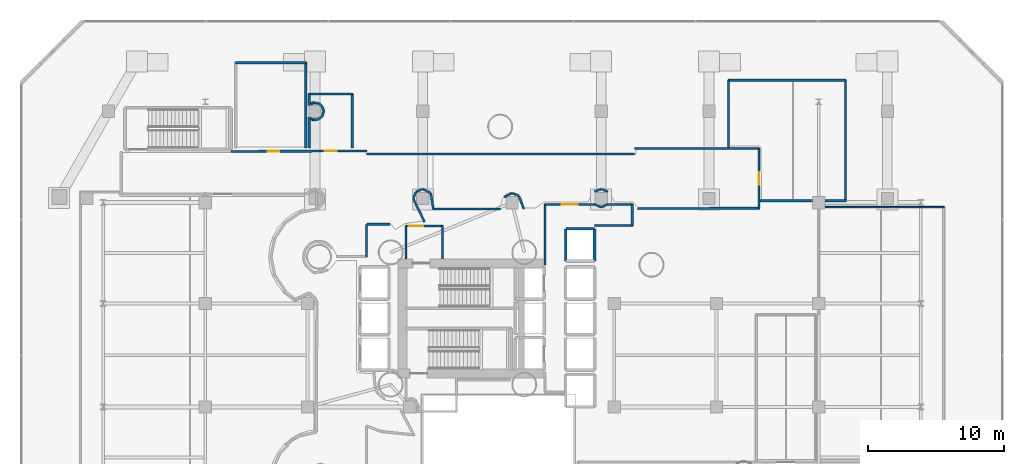
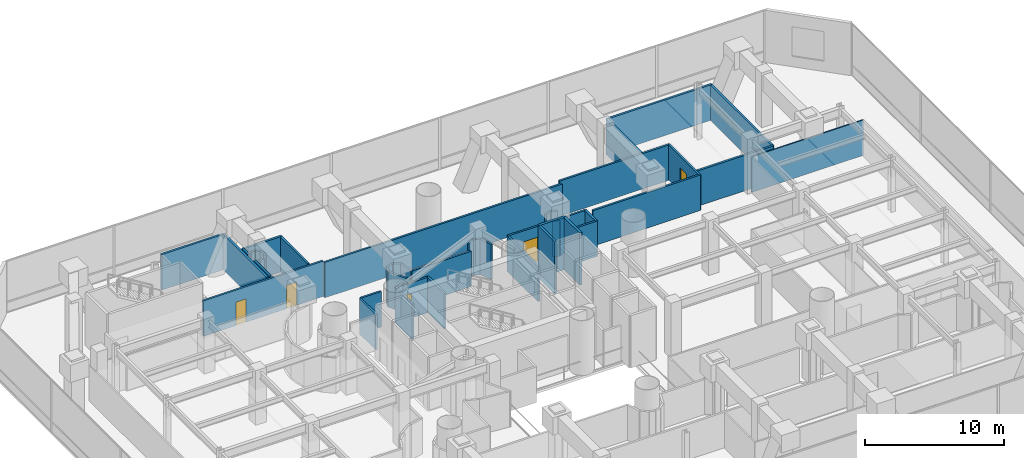
# One storey, part 34 of 45: 50 walls, 5 doors, 5 openings.
"""IFC4 building model written with IfcOpenShell, lengths in metres."""

from ifc_helpers import new_model, si_unit, direction, frame, frame_2d, origin, place, context, subcontext, project, spatial, rectangle, extrude, material, layer, layer_set, type_object, element, fill, save


model = new_model("IFC4")

# Units and contexts
model_context = context("Model", 3, precision=1e-05, world=origin(), true_north=direction((0.0, 1.0)))
body_context = subcontext(model_context, "Body", "Model", "MODEL_VIEW")
ifc_project = project(units=[si_unit("LENGTHUNIT", "METRE"), si_unit("AREAUNIT", "SQUARE_METRE"), si_unit("VOLUMEUNIT", "CUBIC_METRE"), si_unit("PLANEANGLEUNIT", "RADIAN"), si_unit("MASSUNIT", "GRAM", prefix="KILO")], contexts=[model_context])

# Site, building, storey
site_placement = place(None, origin())
site = spatial("IfcSite", under=ifc_project, at=site_placement, CompositionType="ELEMENT")
building_placement = place(site_placement, origin())
building = spatial("IfcBuilding", under=site, at=building_placement, Name="Qianvela Tower", CompositionType="ELEMENT")
storey_placement = place(building_placement, frame((0.0, 0.0, 11.0)))
storey = spatial("IfcBuildingStorey", under=building, at=storey_placement, Name="L02", CompositionType="ELEMENT", Elevation=11.0)

# Wall
ifc_material_1 = material(Name="Fire-Rated Gypsum and Concrete Block", Category="concrete")
ifc_layer_1 = layer(ifc_material_1, 0.159912109375)
ifc_layer_set_1 = layer_set([ifc_layer_1], Name="Fire-Rated Gypsum and Concrete Block")
wall_type_1 = type_object("IfcWallType", Name="WT-CORR-160", PredefinedType="PARTITIONING", material=ifc_layer_set_1)
wall_1_placement = place(storey_placement, frame((29.73095703125, 33.05810546875, 0.0), z_axis=(0.0, 0.0, 1.0), x_axis=(0.0, 1.0, 0.0)))
element("IfcWall", 1, at=wall_1_placement, inside=storey, type_object=wall_type_1, Name="L02 Partition 2", PredefinedType="PARTITIONING", context=body_context, shape_type="SweptSolid", body=[
    extrude(rectangle(XDim=2.4619140625, YDim=0.159912109375, at=frame_2d((1.23095703125, 0.0))), origin(), (0.0, 0.0, 1.0), 3.10009765625),
])

# Wall, opening, door
wall_2_placement = place(storey_placement, frame((29.699951171875, 35.489013671875, 0.0), z_axis=(0.0, 0.0, 1.0), x_axis=(1.0, 0.0, 0.0)))
wall_2 = element("IfcWall", 2, at=wall_2_placement, inside=storey, type_object=wall_type_1, Name="L02 Partition 3", PredefinedType="PARTITIONING", context=body_context, shape_type="SweptSolid", body=[
    extrude(rectangle(XDim=2.719970703125, YDim=0.159912109375, at=frame_2d((1.35986328125, 0.0))), origin(), (0.0, 0.0, 1.0), 3.10009765625),
])
opening_1_placement = place(wall_2_placement, frame((0.22998046875, 0.0, 0.0)))
opening_1 = element("IfcOpeningElement", 3, at=opening_1_placement, cuts=wall_2, Name="Opening D-PL1", PredefinedType="OPENING", context=body_context, shape_type="SweptSolid", body=[
    extrude(rectangle(XDim=1.050048828125, YDim=2.14990234375, at=frame_2d((0.52490234375, 1.074951171875))), frame((0.0, 0.08984375, 0.0), z_axis=(0.0, -1.0, 0.0), x_axis=(1.0, 0.0, 0.0)), (0.0, 0.0, 1.0), 0.179931640625),
])
ifc_material_2 = material(Name="Insulated Steel Fire Door Q355B", Category="steel")
door_type_1 = type_object("IfcDoorType", Name="DT-PLANT-FD90", OperationType="NOTDEFINED", PredefinedType="DOOR", material=ifc_material_2)
door_1_placement = place(opening_1_placement, origin())
door_1 = element("IfcDoor", 4, at=door_1_placement, inside=storey, type_object=door_type_1, Name="L02 Door L02 Firefighting Lobby North to L02 Concourse Gallery Corridor", OperationType="SINGLE_SWING_LEFT", OverallHeight=2.14990234375, OverallWidth=1.050048828125, PredefinedType="DOOR", context=body_context, shape_type="SweptSolid", body=[
    extrude(rectangle(XDim=1.050048828125, YDim=2.14990234375, at=frame_2d((0.52490234375, 1.074951171875))), frame((0.0, 0.02490234375, 0.0), z_axis=(0.0, -1.0, 0.0), x_axis=(1.0, 0.0, 0.0)), (0.0, 0.0, 1.0), 0.050048828125),
])
fill(opening_1, door_1)

# Walls
wall_3_placement = place(storey_placement, frame((32.388916015625, 35.52001953125, 0.0), z_axis=(0.0, 0.0, 1.0), x_axis=(0.0, -1.0, 0.0)))
element("IfcWall", 5, at=wall_3_placement, inside=storey, type_object=wall_type_1, Name="L02 Partition 4", PredefinedType="PARTITIONING", context=body_context, shape_type="SweptSolid", body=[
    extrude(rectangle(XDim=2.4619140625, YDim=0.159912109375, at=frame_2d((1.23095703125, 0.0))), origin(), (0.0, 0.0, 1.0), 3.10009765625),
])
wall_4_placement = place(storey_placement, frame((39.910888671875, 32.639892578125, 0.0), z_axis=(0.0, 0.0, 1.0), x_axis=(0.0, 1.0, 0.0)))
element("IfcWall", 6, at=wall_4_placement, inside=storey, type_object=wall_type_1, Name="L02 Partition 14", PredefinedType="PARTITIONING", context=body_context, shape_type="SweptSolid", body=[
    extrude(rectangle(XDim=4.460205078125, YDim=0.159912109375, at=frame_2d((2.22998046875, 0.0))), origin(), (0.0, 0.0, 1.0), 3.10009765625),
])

# Wall, opening, door
wall_5_placement = place(storey_placement, frame((39.8798828125, 37.069091796875, 0.0), z_axis=(0.0, 0.0, 1.0), x_axis=(1.0, 0.0, 0.0)))
wall_5 = element("IfcWall", 7, at=wall_5_placement, inside=storey, type_object=wall_type_1, Name="L02 Partition 15", PredefinedType="PARTITIONING", context=body_context, shape_type="SweptSolid", body=[
    extrude(rectangle(XDim=3.70751953125, YDim=0.159912109375, at=frame_2d((1.853759765625, 0.0))), origin(), (0.0, 0.0, 1.0), 3.10009765625),
])
opening_2_placement = place(wall_5_placement, frame((1.253662109375, 0.0, 0.0)))
opening_2 = element("IfcOpeningElement", 8, at=opening_2_placement, cuts=wall_5, Name="Opening D-LB1", PredefinedType="OPENING", context=body_context, shape_type="SweptSolid", body=[
    extrude(rectangle(XDim=1.199951171875, YDim=2.14990234375, at=frame_2d((0.60009765625, 1.074951171875))), frame((0.0, 0.08984375, 0.0), z_axis=(0.0, -1.0, 0.0), x_axis=(1.0, 0.0, 0.0)), (0.0, 0.0, 1.0), 0.179931640625),
])
ifc_material_3 = material(Name="Glazed Fire-Rated Steel Frame", Category="steel")
door_type_2 = type_object("IfcDoorType", Name="DT-LOBBY-FD90", OperationType="NOTDEFINED", PredefinedType="DOOR", material=ifc_material_3)
door_2_placement = place(opening_2_placement, origin())
door_2 = element("IfcDoor", 9, at=door_2_placement, inside=storey, type_object=door_type_2, Name="L02 Door L02 Lift Lobby to L02 Concourse Gallery Corridor", OperationType="SINGLE_SWING_LEFT", OverallHeight=2.14990234375, OverallWidth=1.199951171875, PredefinedType="DOOR", context=body_context, shape_type="SweptSolid", body=[
    extrude(rectangle(XDim=1.199951171875, YDim=2.14990234375, at=frame_2d((0.60009765625, 1.074951171875))), frame((0.0, 0.02490234375, 0.0), z_axis=(0.0, -1.0, 0.0), x_axis=(1.0, 0.0, 0.0)), (0.0, 0.0, 1.0), 0.050048828125),
])
fill(opening_2, door_2)

# Walls
for number, where, z_axis, x_axis, name in (
    (10, (43.57470703125, 37.07177734375, 0.0), (0.0, 0.0, 1.0), (0.908696751383, -0.417456840913, 0.0), "L02 Partition 16"),
    (11, (44.0576171875, 36.86181640625, 0.0), (0.0, 0.0, 1.0), (0.908696751383, 0.417456840913, 0.0), "L02 Partition 17"),
):
    element("IfcWall", number, at=place(storey_placement, frame(where, z_axis=z_axis, x_axis=x_axis)), inside=storey, type_object=wall_type_1, Name=name, PredefinedType="PARTITIONING", context=body_context, shape_type="SweptSolid", body=[
        extrude(rectangle(XDim=0.5029296875, YDim=0.159912109375, at=frame_2d((0.25146484375, 0.0))), origin(), (0.0, 0.0, 1.0), 3.10009765625),
    ])
wall_6_placement = place(storey_placement, frame((44.501708984375, 37.069091796875, 0.0), z_axis=(0.0, 0.0, 1.0), x_axis=(1.0, 0.0, 0.0)))
element("IfcWall", 12, at=wall_6_placement, inside=storey, type_object=wall_type_1, Name="L02 Partition 18", PredefinedType="PARTITIONING", context=body_context, shape_type="SweptSolid", body=[
    extrude(rectangle(XDim=1.8583984375, YDim=0.159912109375, at=frame_2d((0.92919921875, 0.0))), origin(), (0.0, 0.0, 1.0), 3.10009765625),
])
wall_7_placement = place(storey_placement, frame((46.3291015625, 37.10009765625, 0.0), z_axis=(0.0, 0.0, 1.0), x_axis=(0.0, -1.0, 0.0)))
element("IfcWall", 13, at=wall_7_placement, inside=storey, type_object=wall_type_1, Name="L02 Partition 19", PredefinedType="PARTITIONING", context=body_context, shape_type="SweptSolid", body=[
    extrude(rectangle(XDim=1.6201171875, YDim=0.159912109375, at=frame_2d((0.81005859375, 0.0))), origin(), (0.0, 0.0, 1.0), 3.10009765625),
])
wall_8_placement = place(storey_placement, frame((46.360107421875, 35.510986328125, 0.0), z_axis=(0.0, 0.0, 1.0), x_axis=(-1.0, 0.0, 0.0)))
element("IfcWall", 14, at=wall_8_placement, inside=storey, type_object=wall_type_1, Name="L02 Partition 20 seg 1", PredefinedType="PARTITIONING", context=body_context, shape_type="SweptSolid", body=[
    extrude(rectangle(XDim=2.81005859375, YDim=0.159912109375, at=frame_2d((1.405029296875, 0.0))), origin(), (0.0, 0.0, 1.0), 3.10009765625),
])

# Wall, openings, doors
wall_9_placement = place(storey_placement, frame((16.89990234375, 40.955810546875, 0.0), z_axis=(0.0, 0.0, 1.0), x_axis=(0.999994432489, 0.003336913407, 0.0)))
wall_9 = element("IfcWall", 15, at=wall_9_placement, inside=storey, type_object=wall_type_1, Name="L02 Partition 115 seg 2", PredefinedType="PARTITIONING", context=body_context, shape_type="SweptSolid", body=[
    extrude(rectangle(XDim=9.9501953125, YDim=0.159912109375, at=frame_2d((4.97509765625, 0.0))), origin(), (0.0, 0.0, 1.0), 3.10009765625),
])
opening_3_placement = place(wall_9_placement, frame((6.87255859375, 0.0, 0.0)))
opening_3 = element("IfcOpeningElement", 16, at=opening_3_placement, cuts=wall_9, Name="Opening D-WC1", PredefinedType="OPENING", context=body_context, shape_type="SweptSolid", body=[
    extrude(rectangle(XDim=0.860107421875, YDim=2.050048828125, at=frame_2d((0.43017578125, 1.02490234375))), frame((0.0, 0.08984375, 0.0), z_axis=(0.0, -1.0, 0.0), x_axis=(1.0, 0.0, 0.0)), (0.0, 0.0, 1.0), 0.179931640625),
])
opening_4_placement = place(wall_9_placement, frame((2.677734375, 0.0, 0.0)))
opening_4 = element("IfcOpeningElement", 17, at=opening_4_placement, cuts=wall_9, Name="Opening D-WC1", PredefinedType="OPENING", context=body_context, shape_type="SweptSolid", body=[
    extrude(rectangle(XDim=0.860107421875, YDim=2.050048828125, at=frame_2d((0.43017578125, 1.02490234375))), frame((0.0, 0.08984375, 0.0), z_axis=(0.0, -1.0, 0.0), x_axis=(1.0, 0.0, 0.0)), (0.0, 0.0, 1.0), 0.179931640625),
])
ifc_material_4 = material(Name="Moisture-Sealed Acoustic Timber Door", Category="wood")
door_type_3 = type_object("IfcDoorType", Name="DT-WC-860", OperationType="NOTDEFINED", PredefinedType="DOOR", material=ifc_material_4)
door_3_placement = place(opening_3_placement, origin())
door_3 = element("IfcDoor", 18, at=door_3_placement, inside=storey, type_object=door_type_3, Name="L02 Door L02 Accessible WC to L02 Concourse Gallery Corridor", OperationType="SINGLE_SWING_RIGHT", OverallHeight=2.050048828125, OverallWidth=0.860107421875, PredefinedType="DOOR", context=body_context, shape_type="SweptSolid", body=[
    extrude(rectangle(XDim=0.860107421875, YDim=2.050048828125, at=frame_2d((0.43017578125, 1.02490234375))), frame((0.0, 0.02490234375, 0.0), z_axis=(0.0, -1.0, 0.0), x_axis=(1.0, 0.0, 0.0)), (0.0, 0.0, 1.0), 0.050048828125),
])
fill(opening_3, door_3)
door_4_placement = place(opening_4_placement, origin())
door_4 = element("IfcDoor", 19, at=door_4_placement, inside=storey, type_object=door_type_3, Name="L02 Door L02 Public Washrooms to L02 Concourse Gallery Corridor", OperationType="SINGLE_SWING_RIGHT", OverallHeight=2.050048828125, OverallWidth=0.860107421875, PredefinedType="DOOR", context=body_context, shape_type="SweptSolid", body=[
    extrude(rectangle(XDim=0.860107421875, YDim=2.050048828125, at=frame_2d((0.43017578125, 1.02490234375))), frame((0.0, 0.02490234375, 0.0), z_axis=(0.0, -1.0, 0.0), x_axis=(1.0, 0.0, 0.0)), (0.0, 0.0, 1.0), 0.050048828125),
])
fill(opening_4, door_4)

# Walls
wall_10_placement = place(storey_placement, frame((26.85009765625, 40.76904296875, 0.0), z_axis=(0.0, 0.0, 1.0), x_axis=(1.0, 0.0, 0.0)))
element("IfcWall", 20, at=wall_10_placement, inside=storey, type_object=wall_type_1, Name="L02 Partition 116", PredefinedType="PARTITIONING", context=body_context, shape_type="SweptSolid", body=[
    extrude(rectangle(XDim=19.64990234375, YDim=0.159912109375, at=frame_2d((9.824951171875, 0.0))), origin(), (0.0, 0.0, 1.0), 3.10009765625),
])
wall_11_placement = place(storey_placement, frame((46.5, 41.1689453125, 0.0), z_axis=(0.0, 0.0, 1.0), x_axis=(1.0, 0.0, 0.0)))
element("IfcWall", 21, at=wall_11_placement, inside=storey, type_object=wall_type_1, Name="L02 Partition 117", PredefinedType="PARTITIONING", context=body_context, shape_type="SweptSolid", body=[
    extrude(rectangle(XDim=9.14990234375, YDim=0.159912109375, at=frame_2d((4.574951171875, 0.0))), origin(), (0.0, 0.0, 1.0), 3.10009765625),
])

# Wall, opening, door
wall_12_placement = place(storey_placement, frame((55.618896484375, 41.199951171875, 0.0), z_axis=(0.0, 0.0, 1.0), x_axis=(0.0, -1.0, 0.0)))
wall_12 = element("IfcWall", 22, at=wall_12_placement, inside=storey, type_object=wall_type_1, Name="L02 Partition 118", PredefinedType="PARTITIONING", context=body_context, shape_type="SweptSolid", body=[
    extrude(rectangle(XDim=4.441650390625, YDim=0.159912109375, at=frame_2d((2.220703125, 0.0))), origin(), (0.0, 0.0, 1.0), 3.10009765625),
])
opening_5_placement = place(wall_12_placement, frame((1.770751953125, 0.0, 0.0)))
opening_5 = element("IfcOpeningElement", 23, at=opening_5_placement, cuts=wall_12, Name="Opening D-KT1", PredefinedType="OPENING", context=body_context, shape_type="SweptSolid", body=[
    extrude(rectangle(XDim=0.89990234375, YDim=2.10009765625, at=frame_2d((0.449951171875, 1.050048828125))), frame((0.0, 0.08984375, 0.0), z_axis=(0.0, -1.0, 0.0), x_axis=(1.0, 0.0, 0.0)), (0.0, 0.0, 1.0), 0.179931640625),
])
ifc_material_5 = material(Name="Glazed Timber Kitchen Door", Category="wood")
door_type_4 = type_object("IfcDoorType", Name="DT-KITCH-900", OperationType="NOTDEFINED", PredefinedType="DOOR", material=ifc_material_5)
door_5_placement = place(opening_5_placement, origin())
door_5 = element("IfcDoor", 24, at=door_5_placement, inside=storey, type_object=door_type_4, Name="L02 Door L02 Shared Student Tea Pantry to L02 Concourse Gallery Corridor", OperationType="SINGLE_SWING_RIGHT", OverallHeight=2.10009765625, OverallWidth=0.89990234375, PredefinedType="DOOR", context=body_context, shape_type="SweptSolid", body=[
    extrude(rectangle(XDim=0.89990234375, YDim=2.10009765625, at=frame_2d((0.449951171875, 1.050048828125))), frame((0.0, 0.02490234375, 0.0), z_axis=(0.0, -1.0, 0.0), x_axis=(1.0, 0.0, 0.0)), (0.0, 0.0, 1.0), 0.050048828125),
])
fill(opening_5, door_5)

# Walls
wall_13_placement = place(storey_placement, frame((55.64990234375, 36.789306640625, 0.0), z_axis=(0.0, 0.0, 1.0), x_axis=(-0.999996901459, -0.002489391821, 0.0)))
element("IfcWall", 25, at=wall_13_placement, inside=storey, type_object=wall_type_1, Name="L02 Partition 119", PredefinedType="PARTITIONING", context=body_context, shape_type="SweptSolid", body=[
    extrude(rectangle(XDim=8.924560546875, YDim=0.159912109375, at=frame_2d((4.46240234375, 0.0))), origin(), (0.0, 0.0, 1.0), 3.10009765625),
])
wall_14_placement = place(storey_placement, frame((44.5302734375, 38.00244140625, 0.0), z_axis=(0.0, 0.0, 1.0), x_axis=(-0.924045828763, 0.382281710714, 0.0)))
element("IfcWall", 26, at=wall_14_placement, inside=storey, type_object=wall_type_1, Name="L02 Partition 122", PredefinedType="PARTITIONING", context=body_context, shape_type="SweptSolid", body=[
    extrude(rectangle(XDim=0.512939453125, YDim=0.159912109375, at=frame_2d((0.25634765625, 0.0))), origin(), (0.0, 0.0, 1.0), 3.10009765625),
])
wall_15_placement = place(storey_placement, frame((44.03271484375, 38.198486328125, 0.0), z_axis=(0.0, 0.0, 1.0), x_axis=(-0.923976210744, -0.382449947024, 0.0)))
element("IfcWall", 27, at=wall_15_placement, inside=storey, type_object=wall_type_1, Name="L02 Partition 123", PredefinedType="PARTITIONING", context=body_context, shape_type="SweptSolid", body=[
    extrude(rectangle(XDim=0.5126953125, YDim=0.159912109375, at=frame_2d((0.25634765625, 0.0))), origin(), (0.0, 0.0, 1.0), 3.10009765625),
])
wall_16_placement = place(storey_placement, frame((38.372802734375, 36.726318359375, 0.0), z_axis=(0.0, 0.0, 1.0), x_axis=(-0.360220716068, 0.932867105067, 0.0)))
element("IfcWall", 28, at=wall_16_placement, inside=storey, type_object=wall_type_1, Name="L02 Partition 128", PredefinedType="PARTITIONING", context=body_context, shape_type="SweptSolid", body=[
    extrude(rectangle(XDim=1.027587890625, YDim=0.159912109375, at=frame_2d((0.513671875, 0.0))), origin(), (0.0, 0.0, 1.0), 3.10009765625),
])
wall_17_placement = place(storey_placement, frame((37.985595703125, 37.702392578125, 0.0), z_axis=(0.0, 0.0, 1.0), x_axis=(-0.923807847969, 0.382856448334, 0.0)))
element("IfcWall", 29, at=wall_17_placement, inside=storey, type_object=wall_type_1, Name="L02 Partition 129", PredefinedType="PARTITIONING", context=body_context, shape_type="SweptSolid", body=[
    extrude(rectangle(XDim=0.5126953125, YDim=0.159912109375, at=frame_2d((0.25634765625, 0.0))), origin(), (0.0, 0.0, 1.0), 3.10009765625),
])
wall_18_placement = place(storey_placement, frame((37.4853515625, 37.897216796875, 0.0), z_axis=(0.0, 0.0, 1.0), x_axis=(-0.882042462076, -0.471169921679, 0.0)))
element("IfcWall", 30, at=wall_18_placement, inside=storey, type_object=wall_type_1, Name="L02 Partition 130", PredefinedType="PARTITIONING", context=body_context, shape_type="SweptSolid", body=[
    extrude(rectangle(XDim=0.631591796875, YDim=0.159912109375, at=frame_2d((0.31591796875, 0.0))), origin(), (0.0, 0.0, 1.0), 3.10009765625),
])
wall_19_placement = place(storey_placement, frame((36.65478515625, 36.741943359375, 0.0), z_axis=(0.0, 0.0, 1.0), x_axis=(-0.999996836988, -0.00251515701, 0.0)))
element("IfcWall", 31, at=wall_19_placement, inside=storey, type_object=wall_type_1, Name="L02 Partition 132", PredefinedType="PARTITIONING", context=body_context, shape_type="SweptSolid", body=[
    extrude(rectangle(XDim=4.950439453125, YDim=0.159912109375, at=frame_2d((2.47509765625, 0.0))), origin(), (0.0, 0.0, 1.0), 3.10009765625),
])
wall_20_placement = place(storey_placement, frame((31.73486328125, 36.70361328125, 0.0), z_axis=(0.0, 0.0, 1.0), x_axis=(-0.161168629771, 0.986926883197, 0.0)))
element("IfcWall", 32, at=wall_20_placement, inside=storey, type_object=wall_type_1, Name="L02 Partition 133", PredefinedType="PARTITIONING", context=body_context, shape_type="SweptSolid", body=[
    extrude(rectangle(XDim=1.189208984375, YDim=0.159912109375, at=frame_2d((0.5947265625, 0.0))), origin(), (0.0, 0.0, 1.0), 3.10009765625),
])
wall_21_placement = place(storey_placement, frame((31.527099609375, 37.899658203125, 0.0), z_axis=(0.0, 0.0, 1.0), x_axis=(-0.882042462076, 0.471169921679, 0.0)))
element("IfcWall", 33, at=wall_21_placement, inside=storey, type_object=wall_type_1, Name="L02 Partition 134", PredefinedType="PARTITIONING", context=body_context, shape_type="SweptSolid", body=[
    extrude(rectangle(XDim=0.631591796875, YDim=0.159912109375, at=frame_2d((0.31591796875, 0.0))), origin(), (0.0, 0.0, 1.0), 3.10009765625),
])
wall_22_placement = place(storey_placement, frame((30.943603515625, 38.198486328125, 0.0), z_axis=(0.0, 0.0, 1.0), x_axis=(-0.924045828763, -0.382281710714, 0.0)))
element("IfcWall", 34, at=wall_22_placement, inside=storey, type_object=wall_type_1, Name="L02 Partition 135", PredefinedType="PARTITIONING", context=body_context, shape_type="SweptSolid", body=[
    extrude(rectangle(XDim=0.512939453125, YDim=0.159912109375, at=frame_2d((0.25634765625, 0.0))), origin(), (0.0, 0.0, 1.0), 3.10009765625),
])
wall_23_placement = place(storey_placement, frame((30.452880859375, 37.985595703125, 0.0), z_axis=(0.0, 0.0, 1.0), x_axis=(-0.382449947024, -0.923976210744, 0.0)))
element("IfcWall", 35, at=wall_23_placement, inside=storey, type_object=wall_type_1, Name="L02 Partition 136", PredefinedType="PARTITIONING", context=body_context, shape_type="SweptSolid", body=[
    extrude(rectangle(XDim=0.5126953125, YDim=0.159912109375, at=frame_2d((0.25634765625, 0.0))), origin(), (0.0, 0.0, 1.0), 3.10009765625),
])
wall_24_placement = place(storey_placement, frame((30.257568359375, 37.486572265625, 0.0), z_axis=(0.0, 0.0, 1.0), x_axis=(0.435698821732, -0.900092515657, 0.0)))
element("IfcWall", 36, at=wall_24_placement, inside=storey, type_object=wall_type_1, Name="L02 Partition 137", PredefinedType="PARTITIONING", context=body_context, shape_type="SweptSolid", body=[
    extrude(rectangle(XDim=1.897216796875, YDim=0.159912109375, at=frame_2d((0.94873046875, 0.0))), origin(), (0.0, 0.0, 1.0), 3.10009765625),
])
wall_25_placement = place(storey_placement, frame((28.5400390625, 35.611083984375, 0.0), z_axis=(0.0, 0.0, 1.0), x_axis=(-1.0, 0.0, 0.0)))
element("IfcWall", 37, at=wall_25_placement, inside=storey, type_object=wall_type_1, Name="L02 Partition 140", PredefinedType="PARTITIONING", context=body_context, shape_type="SweptSolid", body=[
    extrude(rectangle(XDim=1.68994140625, YDim=0.159912109375, at=frame_2d((0.844970703125, 0.0))), origin(), (0.0, 0.0, 1.0), 3.10009765625),
])
wall_26_placement = place(storey_placement, frame((26.819091796875, 35.580078125, 0.0), z_axis=(0.0, 0.0, 1.0), x_axis=(0.0, -1.0, 0.0)))
element("IfcWall", 38, at=wall_26_placement, inside=storey, type_object=wall_type_1, Name="L02 Partition 141", PredefinedType="PARTITIONING", context=body_context, shape_type="SweptSolid", body=[
    extrude(rectangle(XDim=2.362548828125, YDim=0.159912109375, at=frame_2d((1.18115234375, 0.0))), origin(), (0.0, 0.0, 1.0), 3.10009765625),
])
ifc_material_6 = material(Name="Lightweight Gypsum Room Partition")
ifc_layer_2 = layer(ifc_material_6, 0.10498046875)
ifc_layer_set_2 = layer_set([ifc_layer_2], Name="Lightweight Gypsum Room Partition")
wall_type_2 = type_object("IfcWallType", Name="WT-PART-105", PredefinedType="PARTITIONING", material=ifc_layer_set_2)
wall_27_placement = place(storey_placement, frame((59.949951171875, 36.868896484375, 0.0), z_axis=(0.0, 0.0, 1.0), x_axis=(1.0, 0.0, 0.0)))
element("IfcWall", 39, at=wall_27_placement, inside=storey, type_object=wall_type_2, Name="L02 Partition 230", PredefinedType="PARTITIONING", context=body_context, shape_type="SweptSolid", body=[
    extrude(rectangle(XDim=9.25, YDim=0.10498046875, at=frame_2d((4.625, 0.0))), origin(), (0.0, 0.0, 1.0), 3.10009765625),
])
ifc_material_7 = material(Name="Moisture-Resistant Acoustic Plumbing Wall")
ifc_layer_3 = layer(ifc_material_7, 0.175048828125)
ifc_layer_set_3 = layer_set([ifc_layer_3], Name="Moisture-Resistant Acoustic Plumbing Wall")
wall_type_3 = type_object("IfcWallType", Name="WT-PLUMB-175", PredefinedType="PLUMBINGWALL", material=ifc_layer_set_3)
wall_28_placement = place(storey_placement, frame((22.631103515625, 41.199951171875, 0.0), z_axis=(0.0, 0.0, 1.0), x_axis=(0.0, 1.0, 0.0)))
element("IfcWall", 40, at=wall_28_placement, inside=storey, type_object=wall_type_3, Name="L02 Partition 183", PredefinedType="PLUMBINGWALL", context=body_context, shape_type="SweptSolid", body=[
    extrude(rectangle(XDim=2.284912109375, YDim=0.175048828125, at=frame_2d((1.142578125, 0.0))), origin(), (0.0, 0.0, 1.0), 3.10009765625),
])
wall_29_placement = place(storey_placement, frame((22.746337890625, 43.366943359375, 0.0), z_axis=(0.0, 0.0, 1.0), x_axis=(0.871575537125, -0.490261239633, 0.0)))
element("IfcWall", 41, at=wall_29_placement, inside=storey, type_object=wall_type_3, Name="L02 Partition 184", PredefinedType="PLUMBINGWALL", context=body_context, shape_type="SweptSolid", body=[
    extrude(rectangle(XDim=0.188232421875, YDim=0.175048828125, at=frame_2d((0.09423828125, 0.0))), origin(), (0.0, 0.0, 1.0), 3.10009765625),
])
wall_30_placement = place(storey_placement, frame((22.9287109375, 43.27099609375, 0.0), z_axis=(0.0, 0.0, 1.0), x_axis=(0.995193004206, 0.097933060705, 0.0)))
element("IfcWall", 42, at=wall_30_placement, inside=storey, type_object=wall_type_3, Name="L02 Partition 185", PredefinedType="PLUMBINGWALL", context=body_context, shape_type="SweptSolid", body=[
    extrude(rectangle(XDim=0.35400390625, YDim=0.175048828125, at=frame_2d((0.177001953125, 0.0))), origin(), (0.0, 0.0, 1.0), 3.10009765625),
])
for number, where, z_axis, x_axis, name in (
    (43, (23.297607421875, 43.3125, 0.0), (0.0, 0.0, 1.0), (0.773281307259, 0.634063103992, 0.0), "L02 Partition 186"),
    (44, (23.58154296875, 43.552001953125, 0.0), (0.0, 0.0, 1.0), (0.290064762301, 0.957007018611, 0.0), "L02 Partition 187"),
):
    element("IfcWall", number, at=place(storey_placement, frame(where, z_axis=z_axis, x_axis=x_axis)), inside=storey, type_object=wall_type_3, Name=name, PredefinedType="PLUMBINGWALL", context=body_context, shape_type="SweptSolid", body=[
        extrude(rectangle(XDim=0.354248046875, YDim=0.175048828125, at=frame_2d((0.17724609375, 0.0))), origin(), (0.0, 0.0, 1.0), 3.10009765625),
    ])
wall_31_placement = place(storey_placement, frame((23.684326171875, 43.908935546875, 0.0), z_axis=(0.0, 0.0, 1.0), x_axis=(-0.290256142171, 0.956948991291, 0.0)))
element("IfcWall", 45, at=wall_31_placement, inside=storey, type_object=wall_type_3, Name="L02 Partition 188", PredefinedType="PLUMBINGWALL", context=body_context, shape_type="SweptSolid", body=[
    extrude(rectangle(XDim=0.35400390625, YDim=0.175048828125, at=frame_2d((0.177001953125, 0.0))), origin(), (0.0, 0.0, 1.0), 3.10009765625),
])
wall_32_placement = place(storey_placement, frame((23.571533203125, 44.262939453125, 0.0), z_axis=(0.0, 0.0, 1.0), x_axis=(-0.773281307259, 0.634063103992, 0.0)))
element("IfcWall", 46, at=wall_32_placement, inside=storey, type_object=wall_type_3, Name="L02 Partition 189", PredefinedType="PLUMBINGWALL", context=body_context, shape_type="SweptSolid", body=[
    extrude(rectangle(XDim=0.354248046875, YDim=0.175048828125, at=frame_2d((0.17724609375, 0.0))), origin(), (0.0, 0.0, 1.0), 3.10009765625),
])
wall_33_placement = place(storey_placement, frame((23.281005859375, 44.494384765625, 0.0), z_axis=(0.0, 0.0, 1.0), x_axis=(-0.995193004206, 0.097933060705, 0.0)))
element("IfcWall", 47, at=wall_33_placement, inside=storey, type_object=wall_type_3, Name="L02 Partition 190", PredefinedType="PLUMBINGWALL", context=body_context, shape_type="SweptSolid", body=[
    extrude(rectangle(XDim=0.35400390625, YDim=0.175048828125, at=frame_2d((0.177001953125, 0.0))), origin(), (0.0, 0.0, 1.0), 3.10009765625),
])
wall_34_placement = place(storey_placement, frame((22.910400390625, 44.525390625, 0.0), z_axis=(0.0, 0.0, 1.0), x_axis=(-0.871575537125, -0.490261239633, 0.0)))
element("IfcWall", 48, at=wall_34_placement, inside=storey, type_object=wall_type_3, Name="L02 Partition 191", PredefinedType="PLUMBINGWALL", context=body_context, shape_type="SweptSolid", body=[
    extrude(rectangle(XDim=0.188232421875, YDim=0.175048828125, at=frame_2d((0.09423828125, 0.0))), origin(), (0.0, 0.0, 1.0), 3.10009765625),
])
wall_35_placement = place(storey_placement, frame((22.631103515625, 44.315185546875, 0.0), z_axis=(0.0, 0.0, 1.0), x_axis=(0.0, 1.0, 0.0)))
element("IfcWall", 49, at=wall_35_placement, inside=storey, type_object=wall_type_3, Name="L02 Partition 192", PredefinedType="PLUMBINGWALL", context=body_context, shape_type="SweptSolid", body=[
    extrude(rectangle(XDim=0.884765625, YDim=0.175048828125, at=frame_2d((0.4423828125, 0.0))), origin(), (0.0, 0.0, 1.0), 3.10009765625),
])
wall_36_placement = place(storey_placement, frame((22.60009765625, 45.1689453125, 0.0), z_axis=(0.0, 0.0, 1.0), x_axis=(1.0, 0.0, 0.0)))
element("IfcWall", 50, at=wall_36_placement, inside=storey, type_object=wall_type_3, Name="L02 Partition 193", PredefinedType="PLUMBINGWALL", context=body_context, shape_type="SweptSolid", body=[
    extrude(rectangle(XDim=3.199951171875, YDim=0.175048828125, at=frame_2d((1.60009765625, 0.0))), origin(), (0.0, 0.0, 1.0), 3.10009765625),
])
wall_37_placement = place(storey_placement, frame((25.76904296875, 45.199951171875, 0.0), z_axis=(0.0, 0.0, 1.0), x_axis=(0.0, -1.0, 0.0)))
element("IfcWall", 51, at=wall_37_placement, inside=storey, type_object=wall_type_3, Name="L02 Partition 194", PredefinedType="PLUMBINGWALL", context=body_context, shape_type="SweptSolid", body=[
    extrude(rectangle(XDim=4.0, YDim=0.175048828125, at=frame_2d((2.0, 0.0))), origin(), (0.0, 0.0, 1.0), 3.10009765625),
])
wall_38_placement = place(storey_placement, frame((62.0, 37.3310546875, 0.0), z_axis=(0.0, 0.0, 1.0), x_axis=(-1.0, 0.0, 0.0)))
element("IfcWall", 52, at=wall_38_placement, inside=storey, type_object=wall_type_3, Name="L02 Partition 232", PredefinedType="PLUMBINGWALL", context=body_context, shape_type="SweptSolid", body=[
    extrude(rectangle(XDim=6.2880859375, YDim=0.175048828125, at=frame_2d((3.14404296875, 0.0))), origin(), (0.0, 0.0, 1.0), 3.10009765625),
])
wall_39_placement = place(storey_placement, frame((53.381103515625, 41.261962890625, 0.0), z_axis=(0.0, 0.0, 1.0), x_axis=(0.0, 1.0, 0.0)))
element("IfcWall", 53, at=wall_39_placement, inside=storey, type_object=wall_type_3, Name="L02 Partition 235", PredefinedType="PLUMBINGWALL", context=body_context, shape_type="SweptSolid", body=[
    extrude(rectangle(XDim=4.93798828125, YDim=0.175048828125, at=frame_2d((2.468994140625, 0.0))), origin(), (0.0, 0.0, 1.0), 3.10009765625),
])
wall_40_placement = place(storey_placement, frame((53.35009765625, 46.1689453125, 0.0), z_axis=(0.0, 0.0, 1.0), x_axis=(1.0, 0.0, 0.0)))
element("IfcWall", 54, at=wall_40_placement, inside=storey, type_object=wall_type_3, Name="L02 Partition 236", PredefinedType="PLUMBINGWALL", context=body_context, shape_type="SweptSolid", body=[
    extrude(rectangle(XDim=8.64990234375, YDim=0.175048828125, at=frame_2d((4.324951171875, 0.0))), origin(), (0.0, 0.0, 1.0), 3.10009765625),
])
wall_41_placement = place(storey_placement, frame((61.968994140625, 46.199951171875, 0.0), z_axis=(0.0, 0.0, 1.0), x_axis=(0.0, -1.0, 0.0)))
element("IfcWall", 55, at=wall_41_placement, inside=storey, type_object=wall_type_3, Name="L02 Partition 237", PredefinedType="PLUMBINGWALL", context=body_context, shape_type="SweptSolid", body=[
    extrude(rectangle(XDim=8.89990234375, YDim=0.175048828125, at=frame_2d((4.449951171875, 0.0))), origin(), (0.0, 0.0, 1.0), 3.10009765625),
])
wall_42_placement = place(storey_placement, frame((17.199951171875, 47.468994140625, 0.0), z_axis=(0.0, 0.0, 1.0), x_axis=(1.0, 0.0, 0.0)))
element("IfcWall", 56, at=wall_42_placement, inside=storey, type_object=wall_type_3, Name="L02 Partition 261", PredefinedType="PLUMBINGWALL", context=body_context, shape_type="SweptSolid", body=[
    extrude(rectangle(XDim=5.199951171875, YDim=0.175048828125, at=frame_2d((2.60009765625, 0.0))), origin(), (0.0, 0.0, 1.0), 3.10009765625),
])
wall_43_placement = place(storey_placement, frame((22.368896484375, 47.5, 0.0), z_axis=(0.0, 0.0, 1.0), x_axis=(0.0, -1.0, 0.0)))
element("IfcWall", 57, at=wall_43_placement, inside=storey, type_object=wall_type_3, Name="L02 Partition 262 seg 1", PredefinedType="PLUMBINGWALL", context=body_context, shape_type="SweptSolid", body=[
    extrude(rectangle(XDim=6.300048828125, YDim=0.175048828125, at=frame_2d((3.14990234375, 0.0))), origin(), (0.0, 0.0, 1.0), 3.10009765625),
])
ifc_material_8 = material(Name="Concrete C50", Category="concrete")
ifc_layer_4 = layer(ifc_material_8, 0.199951171875)
ifc_layer_set_4 = layer_set([ifc_layer_4], Name="Concrete C50")
wall_type_4 = type_object("IfcWallType", Name="WT-SHAFT-200", PredefinedType="SOLIDWALL", material=ifc_layer_set_4)
for number, where, z_axis, x_axis, name in (
    (58, (43.550048828125, 32.919921875, 0.0), (0.0, 0.0, 1.0), (0.0, 1.0, 0.0), "L02 Lift PL-H3 E Shaft Wall"),
    (59, (41.449951171875, 32.919921875, 0.0), (0.0, 0.0, 1.0), (0.0, 1.0, 0.0), "L02 Lift PL-H3 W Shaft Wall"),
):
    element("IfcWall", number, at=place(storey_placement, frame(where, z_axis=z_axis, x_axis=x_axis)), inside=storey, type_object=wall_type_4, Name=name, PredefinedType="SOLIDWALL", context=body_context, shape_type="SweptSolid", body=[
        extrude(rectangle(XDim=2.360107421875, YDim=0.199951171875, at=frame_2d((1.18017578125, 0.0))), origin(), (0.0, 0.0, 1.0), 4.580078125),
    ])
wall_44_placement = place(storey_placement, frame((41.449951171875, 35.280029296875, 0.0), z_axis=(0.0, 0.0, 1.0), x_axis=(1.0, 0.0, 0.0)))
element("IfcWall", 60, at=wall_44_placement, inside=storey, type_object=wall_type_4, Name="L02 Lift PL-H3 N Shaft Wall", PredefinedType="SOLIDWALL", context=body_context, shape_type="SweptSolid", body=[
    extrude(rectangle(XDim=2.10009765625, YDim=0.199951171875, at=frame_2d((1.050048828125, 0.0))), origin(), (0.0, 0.0, 1.0), 4.580078125),
])

save(model, "model.ifc")
